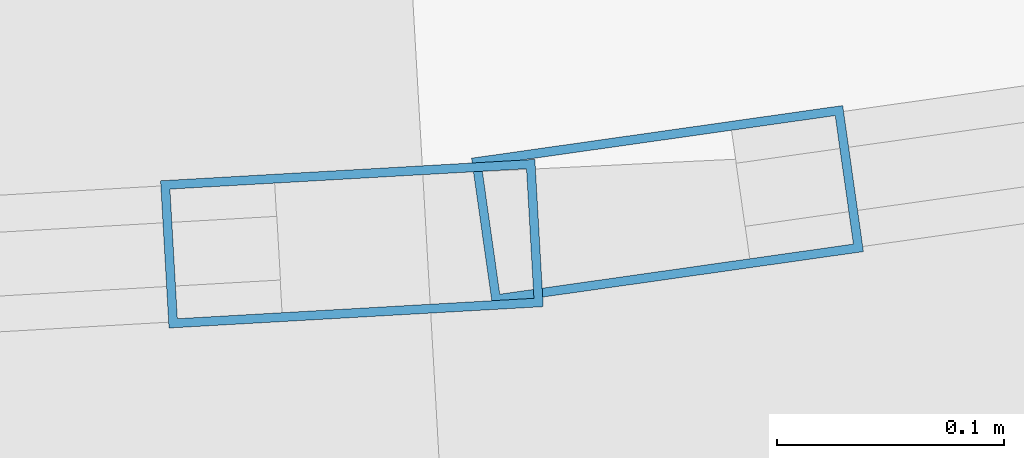
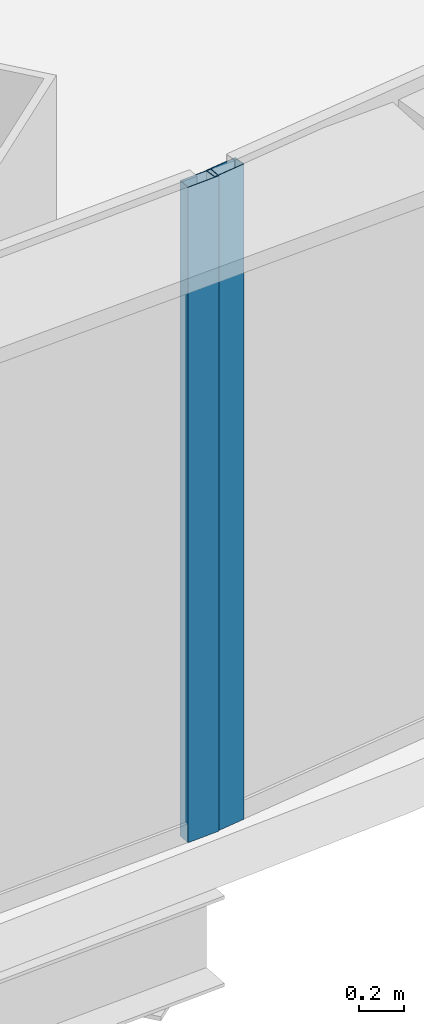
# One storey, part 14 of 41: 2 members, 2 elements without a shape of their own.
"""IFC4 building model written with IfcOpenShell, lengths in metres."""

from ifc_helpers import new_model, si_unit, direction, frame, origin, origin_2d, place, context, subcontext, project, spatial, hollow_rectangle, extrude, source, transform, mapped, material, layer, layer_set, material_profile, profile_set, type_object, element, aggregate, save


model = new_model("IFC4")

# Units and contexts
model_context = context("Model", 3, precision=1e-05, world=origin(), true_north=direction((0.0, 1.0)))
body_context = subcontext(model_context, "Body", "Model", "MODEL_VIEW")
ifc_project = project(units=[si_unit("LENGTHUNIT", "METRE"), si_unit("AREAUNIT", "SQUARE_METRE"), si_unit("VOLUMEUNIT", "CUBIC_METRE"), si_unit("PLANEANGLEUNIT", "RADIAN"), si_unit("MASSUNIT", "GRAM", prefix="KILO"), si_unit("THERMODYNAMICTEMPERATUREUNIT", "KELVIN"), si_unit("POWERUNIT", "WATT")], contexts=[model_context])

# Site, building, storey
site_placement = place(None, origin())
site = spatial("IfcSite", under=ifc_project, at=site_placement, CompositionType="ELEMENT")
building_placement = place(site_placement, origin())
building = spatial("IfcBuilding", under=site, at=building_placement, Name="Yunzhuo Pagoda Commons", CompositionType="ELEMENT")
storey_placement = place(building_placement, frame((0.0, 0.0, 115.3798828125)))
storey = spatial("IfcBuildingStorey", under=building, at=storey_placement, Name="L29", CompositionType="ELEMENT", Elevation=115.3798828125)

# Curtain wall, member
ifc_material = material(Name="Anodized aluminium 6063-T6", Category="aluminium")
ifc_layer = layer(ifc_material, 0.1650390625)
ifc_layer_set = layer_set([ifc_layer], Name="Anodized aluminium 6063-T6")
curtain_wall_type = type_object("IfcCurtainWallType", Name="CW-LOW Low-Zone Ribbon Curtain Wall", PredefinedType="NOTDEFINED", material=ifc_layer_set)
curtain_wall_1_placement = place(storey_placement, origin())
curtain_wall_1 = element("IfcCurtainWall", 1, at=curtain_wall_1_placement, inside=storey, type_object=curtain_wall_type, Name="L29 curtain wall CW-L29-F1B4", PredefinedType="NOTDEFINED")
ifc_material_profile = material_profile(ifc_material, hollow_rectangle(XDim=0.06494140625, YDim=0.1650390625, WallThickness=0.00390625, at=origin_2d()), Name="Anodized aluminium 6063-T6")
ifc_profile_set = profile_set([ifc_material_profile], Name="Anodized aluminium 6063-T6")
member_type = type_object("IfcMemberType", Name="CW-LOW-M Mullion RHS 165x65x4", PredefinedType="MULLION", material=ifc_profile_set)
shared_shape = source(origin(), body_context, "Body", "SweptSolid", [
    extrude(hollow_rectangle(XDim=0.06494140625, YDim=0.1650390625, WallThickness=0.00390625, at=origin_2d()), origin(), (0.0, 0.0, 1.0), 3.52001953125),
])
member_1_placement = place(storey_placement, frame((65.291259765625, 13.052490234375, 0.0), z_axis=(0.0, 0.0, 1.0), x_axis=(-0.057027757736, 0.998372593197, 0.0)))
member_1 = element("IfcMember", 2, at=member_1_placement, type_object=member_type, Name="CW mullion 2", PredefinedType="MULLION", context=body_context, shape_type="MappedRepresentation", body=[
    mapped(shared_shape, transform((0.0, 0.0, 0.0), scale=1.0)),
])
aggregate(curtain_wall_1, [member_1])

curtain_wall_2_placement = place(storey_placement, origin())
curtain_wall_2 = element("IfcCurtainWall", 3, at=curtain_wall_2_placement, inside=storey, type_object=curtain_wall_type, Name="L29 curtain wall CW-L29-F1B5", PredefinedType="NOTDEFINED")
member_2_placement = place(storey_placement, frame((65.43017578125, 13.069580078125, 0.0), z_axis=(0.0, 0.0, 1.0), x_axis=(-0.140408035721, 0.990093724606, 0.0)))
member_2 = element("IfcMember", 4, at=member_2_placement, type_object=member_type, Name="CW mullion 1", PredefinedType="MULLION", context=body_context, shape_type="MappedRepresentation", body=[
    mapped(shared_shape, transform((0.0, 0.0, 0.0), scale=1.0)),
])
aggregate(curtain_wall_2, [member_2])

save(model, "model.ifc")
